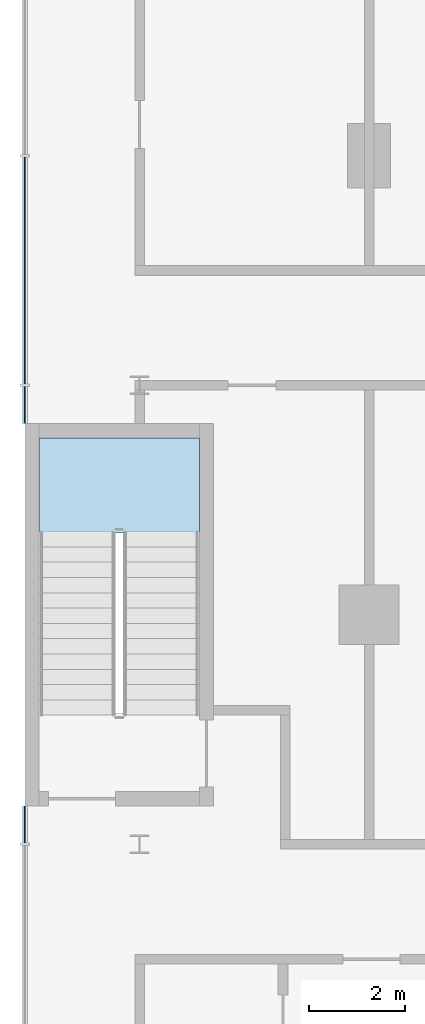
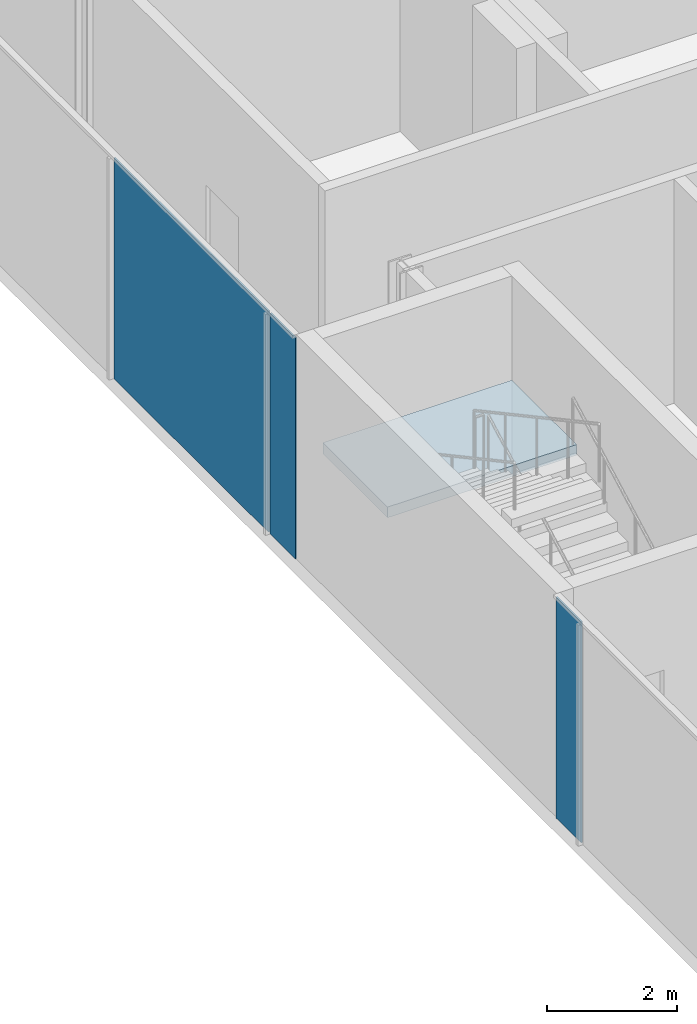
# One storey, part 25 of 45: 3 plates, 1 slab, 2 elements without a shape of their own.
"""IFC4 building model written with IfcOpenShell, lengths in metres."""

from ifc_helpers import new_model, si_unit, direction, frame, origin, origin_2d, place, context, subcontext, project, spatial, polyline, rectangle, outline, extrude, material, layer, layer_set, type_object, element, aggregate, save


model = new_model("IFC4")

# Units and contexts
model_context = context("Model", 3, precision=1e-05, world=origin(), true_north=direction((0.0, 1.0)))
body_context = subcontext(model_context, "Body", "Model", "MODEL_VIEW")
ifc_project = project(units=[si_unit("LENGTHUNIT", "METRE"), si_unit("AREAUNIT", "SQUARE_METRE"), si_unit("VOLUMEUNIT", "CUBIC_METRE"), si_unit("PLANEANGLEUNIT", "RADIAN"), si_unit("MASSUNIT", "GRAM", prefix="KILO")], contexts=[model_context])

# Site, building, storey
site_placement = place(None, origin())
site = spatial("IfcSite", under=ifc_project, at=site_placement, CompositionType="ELEMENT")
building_placement = place(site_placement, origin())
building = spatial("IfcBuilding", under=site, at=building_placement, Name="Madar Terraces", CompositionType="ELEMENT")
storey_placement = place(building_placement, frame((0.0, 0.0, 6.0)))
storey = spatial("IfcBuildingStorey", under=building, at=storey_placement, Name="L01", CompositionType="ELEMENT", Elevation=6.0)

# Curtain wall, plates
ifc_material_1 = material(Name="Glass, clear low-iron, with black aluminium frame", Category="aluminium")
ifc_layer_1 = layer(ifc_material_1, 0.199951171875)
ifc_layer_set_1 = layer_set([ifc_layer_1], Name="Facade curtain wall, shopfront glazing")
curtain_wall_type = type_object("IfcCurtainWallType", Name="Facade curtain wall, shopfront glazing", PredefinedType="NOTDEFINED", material=ifc_layer_set_1)
curtain_wall_placement = place(storey_placement, origin())
curtain_wall = element("IfcCurtainWall", 1, at=curtain_wall_placement, inside=storey, type_object=curtain_wall_type, Name="Outer skin curtain wall west bay 1", PredefinedType="NOTDEFINED")
ifc_material_2 = material(Name="Glass, ceramic frit dark grey", Category="glass")
ifc_layer_2 = layer(ifc_material_2, 0.028076171875)
ifc_layer_set_2 = layer_set([ifc_layer_2], Name="Facade glass panel 28")
plate_type = type_object("IfcPlateType", Name="Facade glass panel 28", PredefinedType="CURTAIN_PANEL", material=ifc_layer_set_2)
plate_1_placement = place(storey_placement, frame((-7.199951171875, 12.0, 0.0), z_axis=(0.0, 0.0, 1.0), x_axis=(0.0, -1.0, 0.0)))
plate_1 = element("IfcPlate", 2, at=plate_1_placement, type_object=plate_type, Name="Panel 9", PredefinedType="CURTAIN_PANEL", context=body_context, shape_type="SweptSolid", body=[
    extrude(rectangle(XDim=4.739990234375, YDim=0.028076171875, at=origin_2d()), origin(), (0.0, 0.0, 1.0), 4.139892578125),
])
plate_2_placement = place(storey_placement, frame((-7.199951171875, 9.18505859375, 0.0), z_axis=(0.0, 0.0, 1.0), x_axis=(0.0, -1.0, 0.0)))
plate_2 = element("IfcPlate", 3, at=plate_2_placement, type_object=plate_type, Name="Panel 10", PredefinedType="CURTAIN_PANEL", context=body_context, shape_type="SweptSolid", body=[
    extrude(rectangle(XDim=0.77001953125, YDim=0.028076171875, at=origin_2d()), origin(), (0.0, 0.0, 1.0), 4.139892578125),
])
plate_3_placement = place(storey_placement, frame((-7.199951171875, 0.4150390625, 0.0), z_axis=(0.0, 0.0, 1.0), x_axis=(0.0, -1.0, 0.0)))
plate_3 = element("IfcPlate", 4, at=plate_3_placement, type_object=plate_type, Name="Panel 11", PredefinedType="CURTAIN_PANEL", context=body_context, shape_type="SweptSolid", body=[
    extrude(rectangle(XDim=0.77001953125, YDim=0.028076171875, at=origin_2d()), origin(), (0.0, 0.0, 1.0), 4.139892578125),
])
aggregate(curtain_wall, [plate_1, plate_2, plate_3])

# Stair, slab
ifc_material_3 = material(Name="Concrete C50/60", Category="concrete")
stair_type = type_object("IfcStairType", Name="Stair PS1 protected exit", PredefinedType="HALF_TURN_STAIR", material=ifc_material_3)
stair_placement = place(storey_placement, origin())
stair = element("IfcStair", 5, at=stair_placement, inside=storey, type_object=stair_type, Name="L01 Protected Exit Stair PS1", PredefinedType="HALF_TURN_STAIR")
ifc_material_4 = material(Name="Concrete C50/60", Category="concrete")
ifc_layer_3 = layer(ifc_material_4, 0.199951171875)
ifc_layer_set_3 = layer_set([ifc_layer_3], Name="Stair landing 200, top +2.25")
slab_type = type_object("IfcSlabType", Name="Stair landing 200, top +2.25", PredefinedType="LANDING", material=ifc_layer_set_3)
slab_placement = place(storey_placement, frame((0.0, 0.0, 2.050048828125)))
slab = element("IfcSlab", 6, at=slab_placement, type_object=slab_type, Name="PS1 landing 1", PredefinedType="LANDING", context=body_context, shape_type="SweptSolid", body=[
    extrude(outline(polyline([(-6.89990234375, 6.510009765625), (-3.550048828125, 6.510009765625), (-3.550048828125, 8.5), (-6.89990234375, 8.5), (-6.89990234375, 6.510009765625)])), origin(), (0.0, 0.0, 1.0), 0.199951171875),
])
aggregate(stair, [slab])

save(model, "model.ifc")
